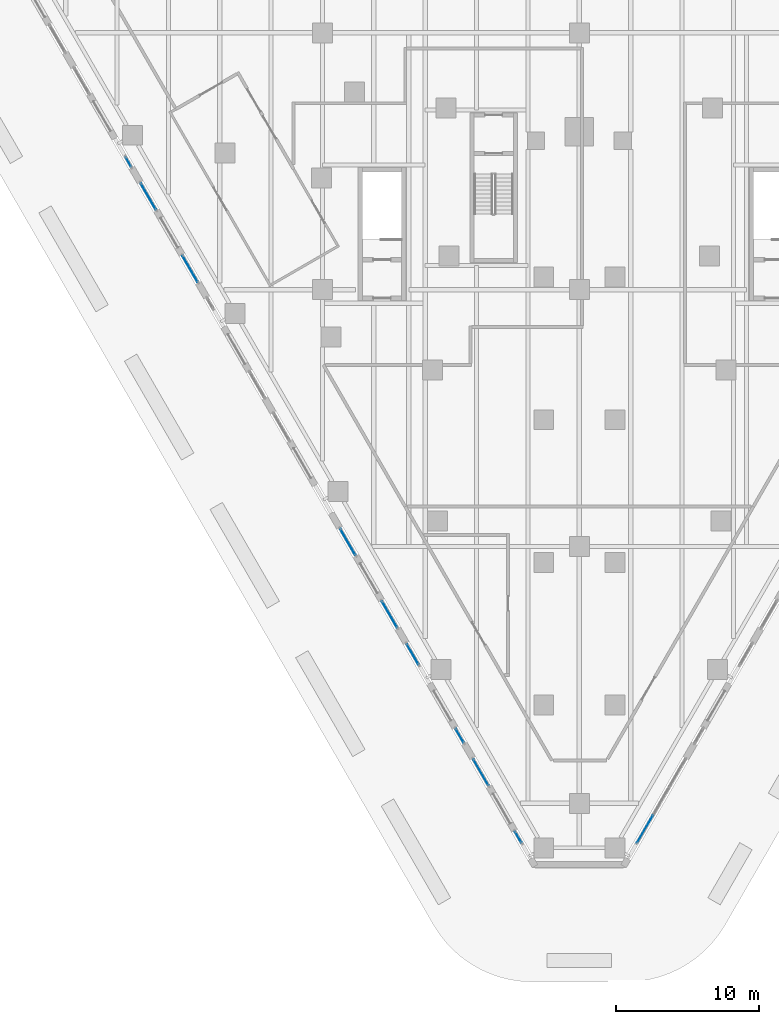
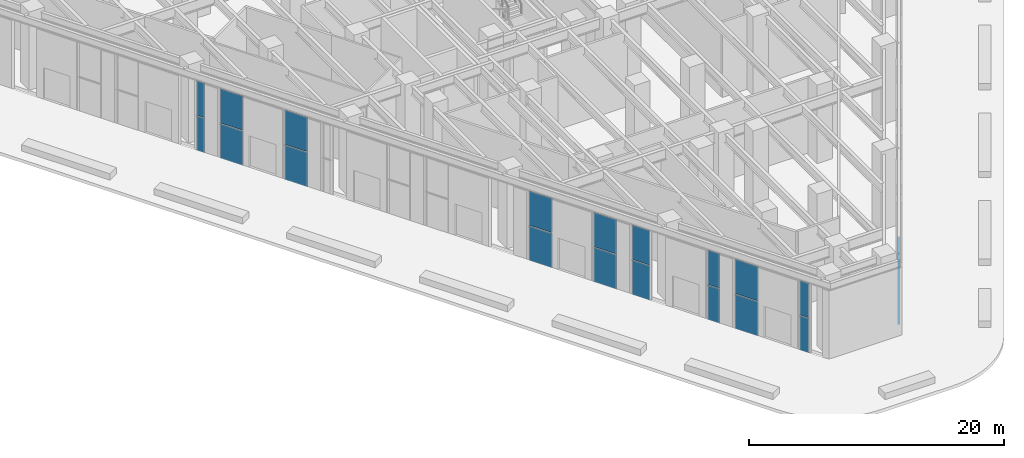
# One storey, part 19 of 37: 20 plates, 10 elements without a shape of their own.
"""IFC4 building model written with IfcOpenShell, lengths in metres."""

from ifc_helpers import new_model, si_unit, direction, frame, origin, origin_2d, place, context, subcontext, project, spatial, rectangle, extrude, material, layer, layer_set, type_object, element, aggregate, save


model = new_model("IFC4")

# Units and contexts
model_context = context("Model", 3, precision=1e-05, world=origin(), true_north=direction((0.0, 1.0)))
body_context = subcontext(model_context, "Body", "Model", "MODEL_VIEW")
ifc_project = project(units=[si_unit("LENGTHUNIT", "METRE"), si_unit("AREAUNIT", "SQUARE_METRE"), si_unit("VOLUMEUNIT", "CUBIC_METRE"), si_unit("PLANEANGLEUNIT", "RADIAN"), si_unit("MASSUNIT", "GRAM", prefix="KILO")], contexts=[model_context])

# Site, building, storey
site_placement = place(None, origin())
site = spatial("IfcSite", under=ifc_project, at=site_placement, CompositionType="ELEMENT")
building_placement = place(site_placement, origin())
building = spatial("IfcBuilding", under=site, at=building_placement, Name="Aloe Facet Convention Tower", CompositionType="ELEMENT")
storey_placement = place(building_placement, origin())
storey = spatial("IfcBuildingStorey", under=building, at=storey_placement, Name="L00", CompositionType="ELEMENT", Elevation=0.0)

# Curtain wall, plates
ifc_material_1 = material(Name="Aluminium, anodised", Category="aluminium")
curtain_wall_type_1 = type_object("IfcCurtainWallType", Name="EV-CW-PORTAL", PredefinedType="USERDEFINED", material=ifc_material_1)
curtain_wall_1_placement = place(storey_placement, origin())
curtain_wall_1 = element("IfcCurtainWall", 1, at=curtain_wall_1_placement, inside=storey, type_object=curtain_wall_type_1, Name="CW-L00-W10B", ObjectType="ENTRANCE PORTAL GLAZING", PredefinedType="USERDEFINED")
ifc_material_2 = material(Name="Clear double glazing", Category="glass")
ifc_layer_1 = layer(ifc_material_2, 0.035888671875)
ifc_layer_set_1 = layer_set([ifc_layer_1], Name="EV-PANEL-PORTAL")
plate_type_1 = type_object("IfcPlateType", Name="EV-PANEL-PORTAL", PredefinedType="CURTAIN_PANEL", material=ifc_layer_set_1)
plate_1_placement = place(storey_placement, frame((48.39990234375, 89.95361328125, -0.219970703125), z_axis=(0.0, 0.0, 1.0), x_axis=(0.499999999849, -0.866025403872, 0.0)))
plate_1 = element("IfcPlate", 2, at=plate_1_placement, type_object=plate_type_1, Name="CW-L00-W10B panel 1.1", PredefinedType="CURTAIN_PANEL", context=body_context, shape_type="SweptSolid", body=[
    extrude(rectangle(XDim=0.763427734375, YDim=0.035888671875, at=origin_2d()), origin(), (0.0, 0.0, 1.0), 3.2861328125),
])
plate_2_placement = place(storey_placement, frame((48.39990234375, 89.95361328125, 3.146240234375), z_axis=(0.0, 0.0, 1.0), x_axis=(0.499999999849, -0.866025403872, 0.0)))
plate_2 = element("IfcPlate", 3, at=plate_2_placement, type_object=plate_type_1, Name="CW-L00-W10B panel 1.2", PredefinedType="CURTAIN_PANEL", context=body_context, shape_type="SweptSolid", body=[
    extrude(rectangle(XDim=0.763427734375, YDim=0.035888671875, at=origin_2d()), origin(), (0.0, 0.0, 1.0), 3.2861328125),
])
aggregate(curtain_wall_1, [plate_1, plate_2])

curtain_wall_2_placement = place(storey_placement, origin())
curtain_wall_2 = element("IfcCurtainWall", 4, at=curtain_wall_2_placement, inside=storey, type_object=curtain_wall_type_1, Name="CW-L00-W12A", ObjectType="ENTRANCE PORTAL GLAZING", PredefinedType="USERDEFINED")
plate_3_placement = place(storey_placement, frame((49.7958984375, 87.535400390625, -0.219970703125), z_axis=(0.0, 0.0, 1.0), x_axis=(0.50000000006, -0.86602540375, 0.0)))
plate_3 = element("IfcPlate", 5, at=plate_3_placement, type_object=plate_type_1, Name="CW-L00-W12A panel 1.1", PredefinedType="CURTAIN_PANEL", context=body_context, shape_type="SweptSolid", body=[
    extrude(rectangle(XDim=2.1005859375, YDim=0.035888671875, at=origin_2d()), origin(), (0.0, 0.0, 1.0), 3.2861328125),
])
plate_4_placement = place(storey_placement, frame((49.7958984375, 87.535400390625, 3.146240234375), z_axis=(0.0, 0.0, 1.0), x_axis=(0.50000000006, -0.86602540375, 0.0)))
plate_4 = element("IfcPlate", 6, at=plate_4_placement, type_object=plate_type_1, Name="CW-L00-W12A panel 1.2", PredefinedType="CURTAIN_PANEL", context=body_context, shape_type="SweptSolid", body=[
    extrude(rectangle(XDim=2.1005859375, YDim=0.035888671875, at=origin_2d()), origin(), (0.0, 0.0, 1.0), 3.2861328125),
])
aggregate(curtain_wall_2, [plate_3, plate_4])

curtain_wall_3_placement = place(storey_placement, origin())
curtain_wall_3 = element("IfcCurtainWall", 7, at=curtain_wall_3_placement, inside=storey, type_object=curtain_wall_type_1, Name="CW-L00-W12B", ObjectType="ENTRANCE PORTAL GLAZING", PredefinedType="USERDEFINED")
plate_5_placement = place(storey_placement, frame((52.726318359375, 82.4599609375, -0.219970703125), z_axis=(0.0, 0.0, 1.0), x_axis=(0.50000000006, -0.86602540375, 0.0)))
plate_5 = element("IfcPlate", 8, at=plate_5_placement, type_object=plate_type_1, Name="CW-L00-W12B panel 1.1", PredefinedType="CURTAIN_PANEL", context=body_context, shape_type="SweptSolid", body=[
    extrude(rectangle(XDim=2.1005859375, YDim=0.035888671875, at=origin_2d()), origin(), (0.0, 0.0, 1.0), 3.2861328125),
])
plate_6_placement = place(storey_placement, frame((52.726318359375, 82.4599609375, 3.146240234375), z_axis=(0.0, 0.0, 1.0), x_axis=(0.50000000006, -0.86602540375, 0.0)))
plate_6 = element("IfcPlate", 9, at=plate_6_placement, type_object=plate_type_1, Name="CW-L00-W12B panel 1.2", PredefinedType="CURTAIN_PANEL", context=body_context, shape_type="SweptSolid", body=[
    extrude(rectangle(XDim=2.1005859375, YDim=0.035888671875, at=origin_2d()), origin(), (0.0, 0.0, 1.0), 3.2861328125),
])
aggregate(curtain_wall_3, [plate_5, plate_6])

curtain_wall_4_placement = place(storey_placement, origin())
curtain_wall_4 = element("IfcCurtainWall", 10, at=curtain_wall_4_placement, inside=storey, type_object=curtain_wall_type_1, Name="CW-L00-W18A", ObjectType="ENTRANCE PORTAL GLAZING", PredefinedType="USERDEFINED")
plate_7_placement = place(storey_placement, frame((63.778076171875, 63.31787109375, -0.219970703125), z_axis=(0.0, 0.0, 1.0), x_axis=(0.499999999728, -0.866025403942, 0.0)))
plate_7 = element("IfcPlate", 11, at=plate_7_placement, type_object=plate_type_1, Name="CW-L00-W18A panel 1.1", PredefinedType="CURTAIN_PANEL", context=body_context, shape_type="SweptSolid", body=[
    extrude(rectangle(XDim=2.1005859375, YDim=0.035888671875, at=origin_2d()), origin(), (0.0, 0.0, 1.0), 3.2861328125),
])
plate_8_placement = place(storey_placement, frame((63.778076171875, 63.31787109375, 3.146240234375), z_axis=(0.0, 0.0, 1.0), x_axis=(0.499999999728, -0.866025403942, 0.0)))
plate_8 = element("IfcPlate", 12, at=plate_8_placement, type_object=plate_type_1, Name="CW-L00-W18A panel 1.2", PredefinedType="CURTAIN_PANEL", context=body_context, shape_type="SweptSolid", body=[
    extrude(rectangle(XDim=2.1005859375, YDim=0.035888671875, at=origin_2d()), origin(), (0.0, 0.0, 1.0), 3.2861328125),
])
aggregate(curtain_wall_4, [plate_7, plate_8])

curtain_wall_5_placement = place(storey_placement, origin())
curtain_wall_5 = element("IfcCurtainWall", 13, at=curtain_wall_5_placement, inside=storey, type_object=curtain_wall_type_1, Name="CW-L00-W18B", ObjectType="ENTRANCE PORTAL GLAZING", PredefinedType="USERDEFINED")
plate_9_placement = place(storey_placement, frame((66.708251953125, 58.242431640625, -0.219970703125), z_axis=(0.0, 0.0, 1.0), x_axis=(0.50000000006, -0.86602540375, 0.0)))
plate_9 = element("IfcPlate", 14, at=plate_9_placement, type_object=plate_type_1, Name="CW-L00-W18B panel 1.1", PredefinedType="CURTAIN_PANEL", context=body_context, shape_type="SweptSolid", body=[
    extrude(rectangle(XDim=2.1005859375, YDim=0.035888671875, at=origin_2d()), origin(), (0.0, 0.0, 1.0), 3.2861328125),
])
plate_10_placement = place(storey_placement, frame((66.708251953125, 58.242431640625, 3.146240234375), z_axis=(0.0, 0.0, 1.0), x_axis=(0.50000000006, -0.86602540375, 0.0)))
plate_10 = element("IfcPlate", 15, at=plate_10_placement, type_object=plate_type_1, Name="CW-L00-W18B panel 1.2", PredefinedType="CURTAIN_PANEL", context=body_context, shape_type="SweptSolid", body=[
    extrude(rectangle(XDim=2.1005859375, YDim=0.035888671875, at=origin_2d()), origin(), (0.0, 0.0, 1.0), 3.2861328125),
])
aggregate(curtain_wall_5, [plate_9, plate_10])

curtain_wall_6_placement = place(storey_placement, origin())
curtain_wall_6 = element("IfcCurtainWall", 16, at=curtain_wall_6_placement, inside=storey, type_object=curtain_wall_type_1, Name="CW-L00-W20A", ObjectType="ENTRANCE PORTAL GLAZING", PredefinedType="USERDEFINED")
plate_11_placement = place(storey_placement, frame((68.32177734375, 55.447998046875, -0.219970703125), z_axis=(0.0, 0.0, 1.0), x_axis=(0.500000000121, -0.866025403715, 0.0)))
plate_11 = element("IfcPlate", 17, at=plate_11_placement, type_object=plate_type_1, Name="CW-L00-W20A panel 1.1", PredefinedType="CURTAIN_PANEL", context=body_context, shape_type="SweptSolid", body=[
    extrude(rectangle(XDim=1.6328125, YDim=0.035888671875, at=origin_2d()), origin(), (0.0, 0.0, 1.0), 3.2861328125),
])
plate_12_placement = place(storey_placement, frame((68.32177734375, 55.447998046875, 3.146240234375), z_axis=(0.0, 0.0, 1.0), x_axis=(0.500000000121, -0.866025403715, 0.0)))
plate_12 = element("IfcPlate", 18, at=plate_12_placement, type_object=plate_type_1, Name="CW-L00-W20A panel 1.2", PredefinedType="CURTAIN_PANEL", context=body_context, shape_type="SweptSolid", body=[
    extrude(rectangle(XDim=1.6328125, YDim=0.035888671875, at=origin_2d()), origin(), (0.0, 0.0, 1.0), 3.2861328125),
])
aggregate(curtain_wall_6, [plate_11, plate_12])

curtain_wall_7_placement = place(storey_placement, origin())
curtain_wall_7 = element("IfcCurtainWall", 19, at=curtain_wall_7_placement, inside=storey, type_object=curtain_wall_type_1, Name="CW-L00-W20B", ObjectType="ENTRANCE PORTAL GLAZING", PredefinedType="USERDEFINED")
plate_13_placement = place(storey_placement, frame((71.618896484375, 49.73681640625, -0.219970703125), z_axis=(0.0, 0.0, 1.0), x_axis=(0.500000000166, -0.866025403688, 0.0)))
plate_13 = element("IfcPlate", 20, at=plate_13_placement, type_object=plate_type_1, Name="CW-L00-W20B panel 1.1", PredefinedType="CURTAIN_PANEL", context=body_context, shape_type="SweptSolid", body=[
    extrude(rectangle(XDim=1.1005859375, YDim=0.035888671875, at=origin_2d()), origin(), (0.0, 0.0, 1.0), 3.2861328125),
])
plate_14_placement = place(storey_placement, frame((71.618896484375, 49.73681640625, 3.146240234375), z_axis=(0.0, 0.0, 1.0), x_axis=(0.500000000166, -0.866025403688, 0.0)))
plate_14 = element("IfcPlate", 21, at=plate_14_placement, type_object=plate_type_1, Name="CW-L00-W20B panel 1.2", PredefinedType="CURTAIN_PANEL", context=body_context, shape_type="SweptSolid", body=[
    extrude(rectangle(XDim=1.1005859375, YDim=0.035888671875, at=origin_2d()), origin(), (0.0, 0.0, 1.0), 3.2861328125),
])
aggregate(curtain_wall_7, [plate_13, plate_14])

curtain_wall_8_placement = place(storey_placement, origin())
curtain_wall_8 = element("IfcCurtainWall", 22, at=curtain_wall_8_placement, inside=storey, type_object=curtain_wall_type_1, Name="CW-L00-W22A", ObjectType="ENTRANCE PORTAL GLAZING", PredefinedType="USERDEFINED")
plate_15_placement = place(storey_placement, frame((73.099365234375, 47.1728515625, -0.219970703125), z_axis=(0.0, 0.0, 1.0), x_axis=(0.499999999864, -0.866025403863, 0.0)))
plate_15 = element("IfcPlate", 23, at=plate_15_placement, type_object=plate_type_1, Name="CW-L00-W22A panel 1.1", PredefinedType="CURTAIN_PANEL", context=body_context, shape_type="SweptSolid", body=[
    extrude(rectangle(XDim=2.1005859375, YDim=0.035888671875, at=origin_2d()), origin(), (0.0, 0.0, 1.0), 3.2861328125),
])
plate_16_placement = place(storey_placement, frame((73.099365234375, 47.1728515625, 3.146240234375), z_axis=(0.0, 0.0, 1.0), x_axis=(0.499999999864, -0.866025403863, 0.0)))
plate_16 = element("IfcPlate", 24, at=plate_16_placement, type_object=plate_type_1, Name="CW-L00-W22A panel 1.2", PredefinedType="CURTAIN_PANEL", context=body_context, shape_type="SweptSolid", body=[
    extrude(rectangle(XDim=2.1005859375, YDim=0.035888671875, at=origin_2d()), origin(), (0.0, 0.0, 1.0), 3.2861328125),
])
aggregate(curtain_wall_8, [plate_15, plate_16])

curtain_wall_9_placement = place(storey_placement, origin())
curtain_wall_9 = element("IfcCurtainWall", 25, at=curtain_wall_9_placement, inside=storey, type_object=curtain_wall_type_1, Name="CW-L00-W22B", ObjectType="ENTRANCE PORTAL GLAZING", PredefinedType="USERDEFINED")
plate_17_placement = place(storey_placement, frame((75.721435546875, 42.631103515625, -0.219970703125), z_axis=(0.0, 0.0, 1.0), x_axis=(0.500000000181, -0.86602540368, 0.0)))
plate_17 = element("IfcPlate", 26, at=plate_17_placement, type_object=plate_type_1, Name="CW-L00-W22B panel 1.1", PredefinedType="CURTAIN_PANEL", context=body_context, shape_type="SweptSolid", body=[
    extrude(rectangle(XDim=0.867919921875, YDim=0.035888671875, at=origin_2d()), origin(), (0.0, 0.0, 1.0), 3.2861328125),
])
plate_18_placement = place(storey_placement, frame((75.721435546875, 42.631103515625, 3.146240234375), z_axis=(0.0, 0.0, 1.0), x_axis=(0.500000000181, -0.86602540368, 0.0)))
plate_18 = element("IfcPlate", 27, at=plate_18_placement, type_object=plate_type_1, Name="CW-L00-W22B panel 1.2", PredefinedType="CURTAIN_PANEL", context=body_context, shape_type="SweptSolid", body=[
    extrude(rectangle(XDim=0.867919921875, YDim=0.035888671875, at=origin_2d()), origin(), (0.0, 0.0, 1.0), 3.2861328125),
])
aggregate(curtain_wall_9, [plate_17, plate_18])

ifc_material_3 = material(Name="Aluminium, anodised", Category="aluminium")
curtain_wall_type_2 = type_object("IfcCurtainWallType", Name="EV-CW-SHOP", PredefinedType="USERDEFINED", material=ifc_material_3)
curtain_wall_10_placement = place(storey_placement, origin())
curtain_wall_10 = element("IfcCurtainWall", 28, at=curtain_wall_10_placement, inside=storey, type_object=curtain_wall_type_2, Name="CW-L00-E02", ObjectType="STICK SHOPFRONT GLAZING", PredefinedType="USERDEFINED")
ifc_material_4 = material(Name="Clear double glazing", Category="glass")
ifc_layer_2 = layer(ifc_material_4, 0.028076171875)
ifc_layer_set_2 = layer_set([ifc_layer_2], Name="EV-PANEL-SHOP")
plate_type_2 = type_object("IfcPlateType", Name="EV-PANEL-SHOP", PredefinedType="CURTAIN_PANEL", material=ifc_layer_set_2)
plate_19_placement = place(storey_placement, frame((84.60302734375, 43.193359375, -0.23974609375), z_axis=(0.0, 0.0, 1.0), x_axis=(0.500000000015, 0.866025403776, 0.0)))
plate_19 = element("IfcPlate", 29, at=plate_19_placement, type_object=plate_type_2, Name="CW-L00-E02 panel 1.1", PredefinedType="CURTAIN_PANEL", context=body_context, shape_type="SweptSolid", body=[
    extrude(rectangle(XDim=2.206298828125, YDim=0.028076171875, at=origin_2d()), origin(), (0.0, 0.0, 1.0), 3.316162109375),
])
plate_20_placement = place(storey_placement, frame((84.60302734375, 43.193359375, 3.13623046875), z_axis=(0.0, 0.0, 1.0), x_axis=(0.500000000015, 0.866025403776, 0.0)))
plate_20 = element("IfcPlate", 30, at=plate_20_placement, type_object=plate_type_2, Name="CW-L00-E02 panel 1.2", PredefinedType="CURTAIN_PANEL", context=body_context, shape_type="SweptSolid", body=[
    extrude(rectangle(XDim=2.206298828125, YDim=0.028076171875, at=origin_2d()), origin(), (0.0, 0.0, 1.0), 3.316162109375),
])
aggregate(curtain_wall_10, [plate_19, plate_20])

save(model, "model.ifc")
